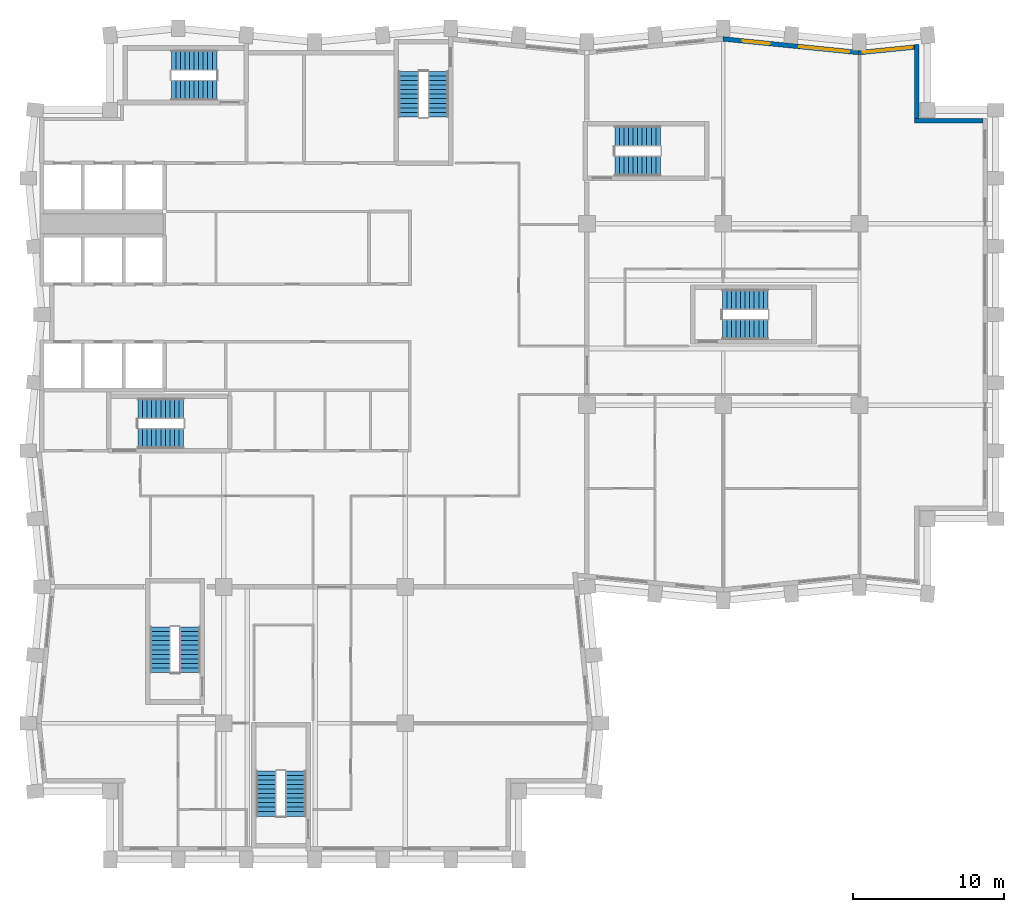
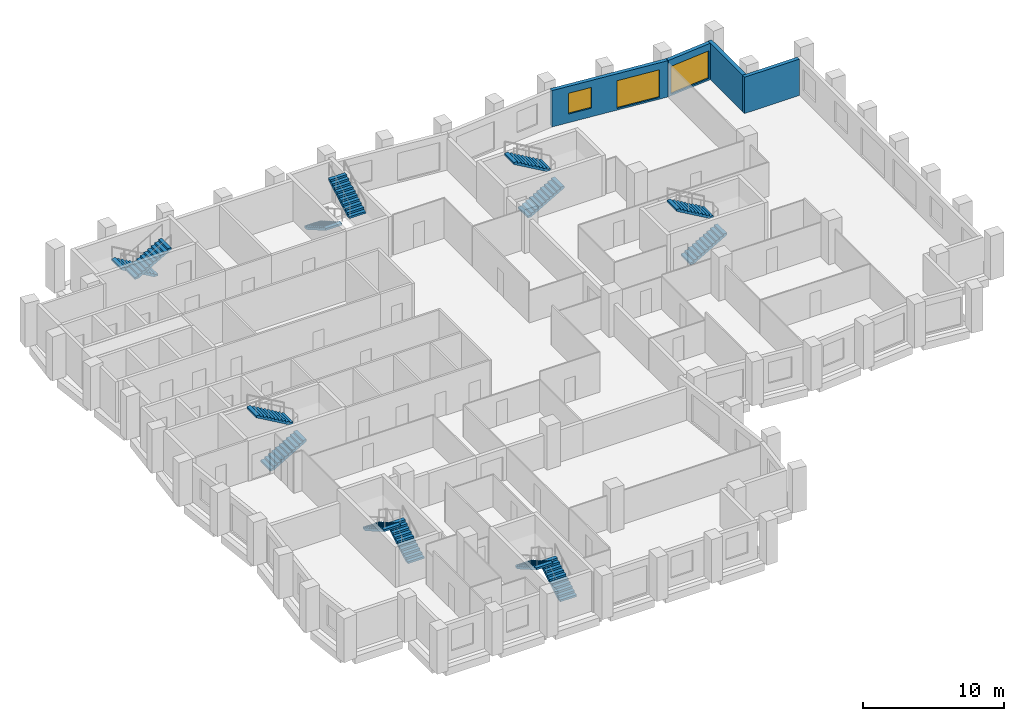
# One storey, part 8 of 10: 14 stair flights, 4 walls, 3 windows, 3 openings, 7 elements without a shape of their own.
"""IFC4 building model written with IfcOpenShell, lengths in metres."""

import ifcopenshell
import ifcopenshell.guid

model = None  # the IFC model being written
_history = None  # IfcOwnerHistory: only IFC2X3 demands one
_inside = {}  # id of a spatial element -> (the spatial element, [elements in it])
_under = {}  # id of a project, library or spatial element -> (it, [spatial elements below it])
_declared = {}  # id of a project -> (the project, [libraries it declares])
_typed = {}  # id of a type object -> (the type object, [elements of that type])
_made_of = {}  # id of a material, layer set ... -> (it, [elements and type objects made of it])


def new_model(schema):
    """Start an empty IFC model of exactly this schema.

    Asked for "IFC4X3", IfcOpenShell would pick the latest addendum, in which some entities
    have other attributes; the version numbers below select the first issue.
    IFC2X3 requires an IfcOwnerHistory on every rooted entity: one is made here for all.
    """
    global model, _history
    if schema == "IFC4X3":
        model = ifcopenshell.file(schema_version=(4, 3, 0, 0))
    else:
        model = ifcopenshell.file(schema=schema)
    _inside.clear()
    _under.clear()
    _declared.clear()
    _typed.clear()
    _made_of.clear()
    _history = None
    if model.schema == "IFC2X3":
        org = make("IfcOrganization", Name="unknown")
        user = make(
            "IfcPersonAndOrganization",
            ThePerson=make("IfcPerson", FamilyName="unknown"),
            TheOrganization=org,
        )
        app = make(
            "IfcApplication",
            ApplicationDeveloper=org,
            Version="unknown",
            ApplicationFullName="unknown",
            ApplicationIdentifier="unknown",
        )
        _history = make(
            "IfcOwnerHistory",
            OwningUser=user,
            OwningApplication=app,
            ChangeAction="ADDED",
            CreationDate=0,
        )
    return model


def make(cls, **values):
    """One entity of the class cls with the attributes given. An attribute that is None is left unset."""
    return model.create_entity(
        cls, **{name: value for name, value in values.items() if value is not None}
    )


def rooted(cls, **values):
    """An entity with a GlobalId (a new one), such as an element, a storey or a relation."""
    return make(cls, GlobalId=ifcopenshell.guid.new(), OwnerHistory=_history, **values)


def si_unit(unit_type, name, prefix=None):
    """IfcSIUnit, for example si_unit("LENGTHUNIT", "METRE", prefix="MILLI")."""
    return make("IfcSIUnit", UnitType=unit_type, Prefix=prefix, Name=name)


def assignment(units):
    """IfcUnitAssignment: the units of a project."""
    return None if units is None else make("IfcUnitAssignment", Units=units)


def point(xyz):
    """IfcCartesianPoint."""
    return None if xyz is None else make("IfcCartesianPoint", Coordinates=xyz)


def direction(xyz):
    """IfcDirection."""
    return None if xyz is None else make("IfcDirection", DirectionRatios=xyz)


def frame(location, z_axis=None, x_axis=None):
    """IfcAxis2Placement3D, a coordinate frame: its origin and axes. An axis left out is left unset."""
    return make(
        "IfcAxis2Placement3D",
        Location=point(location),
        Axis=direction(z_axis),
        RefDirection=direction(x_axis),
    )


def frame_2d(location, x_axis=None):
    """IfcAxis2Placement2D, a coordinate frame in the plane: its origin and x axis."""
    return make(
        "IfcAxis2Placement2D", Location=point(location), RefDirection=direction(x_axis)
    )


def origin():
    """The frame at (0, 0, 0) with its axes left unset."""
    return frame((0.0, 0.0, 0.0))


def place(relative_to, where):
    """IfcLocalPlacement: puts the frame where relative to a parent placement (None: the world)."""
    return make(
        "IfcLocalPlacement", PlacementRelTo=relative_to, RelativePlacement=where
    )


def context(
    kind, dimensions, precision=None, world=None, true_north=None, identifier=None
):
    """IfcGeometricRepresentationContext, for example the 3D "Model" context."""
    return make(
        "IfcGeometricRepresentationContext",
        ContextIdentifier=identifier,
        ContextType=kind,
        CoordinateSpaceDimension=dimensions,
        Precision=precision,
        WorldCoordinateSystem=world,
        TrueNorth=true_north,
    )


def subcontext(parent, identifier, kind, view, scale=None):
    """IfcGeometricRepresentationSubContext, for example "Body" below "Model"."""
    return make(
        "IfcGeometricRepresentationSubContext",
        ContextIdentifier=identifier,
        ContextType=kind,
        ParentContext=parent,
        TargetScale=scale,
        TargetView=view,
    )


def project(units=None, contexts=None):
    """IfcProject with its units and contexts."""
    return rooted(
        "IfcProject",
        Name="project",
        RepresentationContexts=contexts,
        UnitsInContext=assignment(units),
    )


def spatial(cls, under=None, at=None, **own):
    """A site, building, storey or space (cls), placed at a placement, below another one or the project."""
    s = rooted(cls, ObjectPlacement=at, **own)
    if under is not None:
        _under.setdefault(under.id(), (under, []))[1].append(s)
    return s


def polyline(points):
    """IfcPolyline through the points."""
    return make("IfcPolyline", Points=[point(p) for p in points])


def profile(cls, at=None, kind="AREA", **sizes):
    """A parametric profile (cls). Its sizes go by their IFC names, for example OverallWidth=200.0."""
    return make(cls, ProfileType=kind, Position=at, **sizes)


def rectangle(**sizes):
    """IfcRectangleProfileDef."""
    return profile("IfcRectangleProfileDef", **sizes)


def outline(outer, holes=None, kind="AREA"):
    """IfcArbitraryClosedProfileDef: a profile drawn as a closed curve; with holes, ...WithVoids."""
    if holes is None:
        return make("IfcArbitraryClosedProfileDef", ProfileType=kind, OuterCurve=outer)
    return make(
        "IfcArbitraryProfileDefWithVoids",
        ProfileType=kind,
        OuterCurve=outer,
        InnerCurves=holes,
    )


def extrude(swept, where, along, depth):
    """IfcExtrudedAreaSolid: the profile swept, set in the frame where, extruded along a direction by depth."""
    return make(
        "IfcExtrudedAreaSolid",
        SweptArea=swept,
        Position=where,
        ExtrudedDirection=direction(along),
        Depth=depth,
    )


def shape(context_of_items, identifier, shape_type, items):
    """IfcShapeRepresentation: the items that make up one representation, for example the "Body"."""
    return make(
        "IfcShapeRepresentation",
        ContextOfItems=context_of_items,
        RepresentationIdentifier=identifier,
        RepresentationType=shape_type,
        Items=items,
    )


def material(Name=None, Category=None):
    """IfcMaterial."""
    return make("IfcMaterial", Name=Name, Category=Category)


def layer(
    of_material, thickness, ventilated=None, Name=None, Category=None, Priority=None
):
    """IfcMaterialLayer: one layer of a wall or slab, of a material (None: an air gap)."""
    return make(
        "IfcMaterialLayer",
        Material=of_material,
        LayerThickness=thickness,
        IsVentilated=ventilated,
        Name=Name,
        Category=Category,
        Priority=Priority,
    )


def layer_set(layers, Name=None):
    """IfcMaterialLayerSet."""
    return make("IfcMaterialLayerSet", MaterialLayers=layers, LayerSetName=Name)


def made_of(thing, what):
    """Note that an element or type object is made of a material, layer set ...; save() writes the relation."""
    if what is not None:
        _made_of.setdefault(what.id(), (what, []))[1].append(thing)
    return thing


def type_object(cls, material=None, **own):
    """A type object (cls), such as IfcWallType, which elements share."""
    return made_of(rooted(cls, **own), material)


def element(
    cls,
    number,
    at=None,
    inside=None,
    cuts=None,
    type_object=None,
    material=None,
    context=None,
    identifier="Body",
    shape_type=None,
    held_by="IfcProductDefinitionShape",
    body=None,
    shapes=None,
    **own,
):
    """One element of the class cls, such as IfcWall. Its Tag is "e" and its number.

    at: its placement. inside: the storey or other place that contains it. cuts: it is an
    opening in that element (IfcRelVoidsElement). A single representation is given by context,
    identifier, shape_type and body (its items); several are given by shapes. held_by: the class
    of the entity that holds the representations. save() writes the other relations.
    """
    e = rooted(cls, Tag="e%d" % number, ObjectPlacement=at, **own)
    if body is not None:
        shapes = [shape(context, identifier, shape_type, body)]
    if shapes is not None:
        e.Representation = make(held_by, Representations=shapes)
    if inside is not None:
        _inside.setdefault(inside.id(), (inside, []))[1].append(e)
    if cuts is not None:
        rooted(
            "IfcRelVoidsElement", RelatingBuildingElement=cuts, RelatedOpeningElement=e
        )
    if type_object is not None:
        _typed.setdefault(type_object.id(), (type_object, []))[1].append(e)
    return made_of(e, material)


def fill(opening, filler):
    """IfcRelFillsElement: the door or window that sits in an opening."""
    return rooted(
        "IfcRelFillsElement",
        RelatingOpeningElement=opening,
        RelatedBuildingElement=filler,
    )


def aggregate(whole, parts):
    """IfcRelAggregates: a whole, such as a stair, and the parts it consists of."""
    return rooted("IfcRelAggregates", RelatingObject=whole, RelatedObjects=parts)


def save(model, path):
    """Write the relations noted so far, then the file.

    IfcRelAggregates (storeys below a building ...), IfcRelContainedInSpatialStructure (elements
    in a storey), IfcRelDefinesByType, IfcRelAssociatesMaterial and IfcRelDeclares: one each for
    every whole, place, type object, material and project.
    """
    for whole, parts in _under.values():
        aggregate(whole, parts)
    for where, things in _inside.values():
        rooted(
            "IfcRelContainedInSpatialStructure",
            RelatedElements=things,
            RelatingStructure=where,
        )
    for kind, things in _typed.values():
        rooted("IfcRelDefinesByType", RelatedObjects=things, RelatingType=kind)
    for what, things in _made_of.values():
        rooted("IfcRelAssociatesMaterial", RelatedObjects=things, RelatingMaterial=what)
    for by, libraries in _declared.values():
        rooted("IfcRelDeclares", RelatingContext=by, RelatedDefinitions=libraries)
    model.write(path)


model = new_model("IFC4")

# Units and contexts
model_context = context("Model", 3, precision=1e-05, world=origin(), true_north=direction((0.0, 1.0)))
body_context = subcontext(model_context, "Body", "Model", "MODEL_VIEW")
ifc_project = project(units=[si_unit("LENGTHUNIT", "METRE"), si_unit("AREAUNIT", "SQUARE_METRE"), si_unit("VOLUMEUNIT", "CUBIC_METRE"), si_unit("PLANEANGLEUNIT", "RADIAN"), si_unit("MASSUNIT", "GRAM", prefix="KILO")], contexts=[model_context])

# Site, building, storey
site_placement = place(None, origin())
site = spatial("IfcSite", under=ifc_project, at=site_placement, CompositionType="ELEMENT")
building_placement = place(site_placement, origin())
building = spatial("IfcBuilding", under=site, at=building_placement, Name="Brondeck Convention Tower", CompositionType="ELEMENT")
storey_placement = place(building_placement, frame((0.0, 0.0, 170.0)))
storey = spatial("IfcBuildingStorey", under=building, at=storey_placement, Name="L41", CompositionType="ELEMENT", Elevation=170.0)

# Walls
ifc_material_1 = material(Name="Precast concrete C50/60 bronze finish", Category="concrete")
ifc_layer_1 = layer(ifc_material_1, 0.070068359375, Name="Bronze precast facing")
ifc_material_2 = material(Name="Mineral wool")
ifc_layer_2 = layer(ifc_material_2, 0.159912109375, Name="Insulation")
ifc_material_3 = material(Name="Concrete C35/45", Category="concrete")
ifc_layer_3 = layer(ifc_material_3, 0.070068359375, Name="Backing")
ifc_layer_set = layer_set([ifc_layer_1, ifc_layer_2, ifc_layer_3], Name="External infill wall, precast concrete C50/60 bronze facing")
wall_type = type_object("IfcWallType", Name="External infill wall, precast concrete C50/60 bronze facing", PredefinedType="SOLIDWALL", material=ifc_layer_set)
wall_1_placement = place(storey_placement, frame((57.64990234375, 57.800048828125, 0.0), z_axis=(0.0, 0.0, 1.0), x_axis=(1.0, 0.0, 0.0)))
element("IfcWall", 1, at=wall_1_placement, inside=storey, type_object=wall_type, Name="ENV-EW-L41-P1-NC-NEA63-01", PredefinedType="SOLIDWALL", context=body_context, shape_type="SweptSolid", body=[
    extrude(rectangle(XDim=4.502197265625, YDim=0.300048828125, at=frame_2d((2.2509765625, 0.0))), origin(), (0.0, 0.0, 1.0), 3.14990234375),
])
wall_2_placement = place(storey_placement, frame((57.800048828125, 62.84228515625, 0.0), z_axis=(0.0, 0.0, 1.0), x_axis=(0.0, -1.0, 0.0)))
element("IfcWall", 2, at=wall_2_placement, inside=storey, type_object=wall_type, Name="ENV-EW-L41-P1-NC-NEA63-02", PredefinedType="SOLIDWALL", context=body_context, shape_type="SweptSolid", body=[
    extrude(rectangle(XDim=4.894287109375, YDim=0.300048828125, at=frame_2d((2.447265625, 0.0))), origin(), (0.0, 0.0, 1.0), 3.14990234375),
])

# Wall, opening, window
wall_3_placement = place(storey_placement, frame((53.985107421875, 62.294921875, 0.0), z_axis=(0.0, 0.0, 1.0), x_axis=(0.99503719021, 0.099503719021, 0.0)))
wall_3 = element("IfcWall", 3, at=wall_3_placement, inside=storey, type_object=wall_type, Name="ENV-EW-L41-P1-A-N-12", PredefinedType="SOLIDWALL", context=body_context, shape_type="SweptSolid", body=[
    extrude(rectangle(XDim=3.677978515625, YDim=0.300048828125, at=frame_2d((1.8388671875, 0.0))), origin(), (0.0, 0.0, 1.0), 3.14990234375),
])
opening_1_placement = place(wall_3_placement, frame((0.22802734375, 0.0, 0.14990234375)))
opening_1 = element("IfcOpeningElement", 4, at=opening_1_placement, cuts=wall_3, Name="Opening W9", PredefinedType="OPENING", context=body_context, shape_type="SweptSolid", body=[
    extrude(rectangle(XDim=3.300048828125, YDim=2.39990234375, at=frame_2d((1.64990234375, 1.199951171875))), frame((0.0, 0.159912109375, 0.0), z_axis=(0.0, -1.0, 0.0), x_axis=(1.0, 0.0, 0.0)), (0.0, 0.0, 1.0), 0.320068359375),
])
ifc_material_4 = material(Name="Bronze tinted double glazing", Category="glass")
window_type_1 = type_object("IfcWindowType", Name="Glazed flute window, bronze tinted", PartitioningType="SINGLE_PANEL", PredefinedType="WINDOW", material=ifc_material_4)
window_1_placement = place(opening_1_placement, origin())
window_1 = element("IfcWindow", 5, at=window_1_placement, inside=storey, type_object=window_type_1, Name="ENV-WN-L41-P1-A-N-12", OverallHeight=2.39990234375, OverallWidth=3.300048828125, PartitioningType="SINGLE_PANEL", PredefinedType="WINDOW", context=body_context, shape_type="SweptSolid", body=[
    extrude(rectangle(XDim=3.300048828125, YDim=2.39990234375, at=frame_2d((1.64990234375, 1.199951171875))), frame((0.0, 0.030029296875, 0.0), z_axis=(0.0, -1.0, 0.0), x_axis=(1.0, 0.0, 0.0)), (0.0, 0.0, 1.0), 0.06005859375),
])
fill(opening_1, window_1)

# Wall, openings, windows
wall_4_placement = place(storey_placement, frame((44.985107421875, 63.197998046875, 0.0), z_axis=(0.0, 0.0, 1.0), x_axis=(0.995037993253, -0.099495688264, 0.0)))
wall_4 = element("IfcWall", 6, at=wall_4_placement, inside=storey, type_object=wall_type, Name="ENV-EW-L41-P1-A-N-11", PredefinedType="SOLIDWALL", context=body_context, shape_type="SweptSolid", body=[
    extrude(rectangle(XDim=9.030029296875, YDim=0.300048828125, at=frame_2d((4.51513671875, 0.0))), origin(), (0.0, 0.0, 1.0), 3.14990234375),
])
opening_2_placement = place(wall_4_placement, frame((1.30615234375, 0.0, 0.75)))
opening_2 = element("IfcOpeningElement", 7, at=opening_2_placement, cuts=wall_4, Name="Opening W10", PredefinedType="OPENING", context=body_context, shape_type="SweptSolid", body=[
    extrude(rectangle(XDim=1.800048828125, YDim=1.800048828125, at=frame_2d((0.89990234375, 0.89990234375))), frame((0.0, 0.159912109375, 0.0), z_axis=(0.0, -1.0, 0.0), x_axis=(1.0, 0.0, 0.0)), (0.0, 0.0, 1.0), 0.320068359375),
])
opening_3_placement = place(wall_4_placement, frame((5.07861328125, 0.0, 0.14990234375)))
opening_3 = element("IfcOpeningElement", 8, at=opening_3_placement, cuts=wall_4, Name="Opening W9", PredefinedType="OPENING", context=body_context, shape_type="SweptSolid", body=[
    extrude(rectangle(XDim=3.300048828125, YDim=2.39990234375, at=frame_2d((1.64990234375, 1.199951171875))), frame((0.0, 0.159912109375, 0.0), z_axis=(0.0, -1.0, 0.0), x_axis=(1.0, 0.0, 0.0)), (0.0, 0.0, 1.0), 0.320068359375),
])
window_2_placement = place(opening_3_placement, origin())
window_2 = element("IfcWindow", 9, at=window_2_placement, inside=storey, type_object=window_type_1, Name="ENV-WN-L41-P1-A-N-11", OverallHeight=2.39990234375, OverallWidth=3.300048828125, PartitioningType="SINGLE_PANEL", PredefinedType="WINDOW", context=body_context, shape_type="SweptSolid", body=[
    extrude(rectangle(XDim=3.300048828125, YDim=2.39990234375, at=frame_2d((1.64990234375, 1.199951171875))), frame((0.0, 0.030029296875, 0.0), z_axis=(0.0, -1.0, 0.0), x_axis=(1.0, 0.0, 0.0)), (0.0, 0.0, 1.0), 0.06005859375),
])
fill(opening_3, window_2)
window_type_2 = type_object("IfcWindowType", Name="Punched window, bronze tinted", PartitioningType="SINGLE_PANEL", PredefinedType="WINDOW", material=ifc_material_4)
window_3_placement = place(opening_2_placement, origin())
window_3 = element("IfcWindow", 10, at=window_3_placement, inside=storey, type_object=window_type_2, Name="ENV-WN-L41-P1-A-N-10", OverallHeight=1.800048828125, OverallWidth=1.800048828125, PartitioningType="SINGLE_PANEL", PredefinedType="WINDOW", context=body_context, shape_type="SweptSolid", body=[
    extrude(rectangle(XDim=1.800048828125, YDim=1.800048828125, at=frame_2d((0.89990234375, 0.89990234375))), frame((0.0, 0.030029296875, 0.0), z_axis=(0.0, -1.0, 0.0), x_axis=(1.0, 0.0, 0.0)), (0.0, 0.0, 1.0), 0.06005859375),
])
fill(opening_2, window_3)

# Stair, stair flights
ifc_material_5 = material(Name="Precast concrete C50/60", Category="concrete")
stair_type = type_object("IfcStairType", Name="Core stair 22 risers 172.73 mm riser 300 mm going 1350 wide", PredefinedType="HALF_TURN_STAIR", material=ifc_material_5)
stair_1_placement = place(storey_placement, origin())
stair_1 = element("IfcStair", 11, at=stair_1_placement, inside=storey, type_object=stair_type, Name="ST-1 L41 stair", PredefinedType="HALF_TURN_STAIR")
stair_flight_type = type_object("IfcStairFlightType", Name="Core stair flight 22 risers 172.73 mm riser 300 mm going 1350 wide", PredefinedType="STRAIGHT", material=ifc_material_5)
stair_flight_1_placement = place(storey_placement, frame((6.35009765625, 36.824951171875, 0.0), z_axis=(0.0, 0.0, 1.0), x_axis=(1.0, 0.0, 0.0)))
stair_flight_1 = element("IfcStairFlight", 12, at=stair_flight_1_placement, type_object=stair_flight_type, Name="ST-1 flight 1", NumberOfRisers=11, NumberOfTreads=10, PredefinedType="STRAIGHT", RiserHeight=0.172727273, TreadLength=0.3, context=body_context, shape_type="SweptSolid", body=[
    extrude(outline(polyline([(0.0, 0.0), (0.0, 0.172607421875), (0.300048828125, 0.172607421875), (0.300048828125, 0.345458984375), (0.60009765625, 0.345458984375), (0.60009765625, 0.51806640625), (0.89990234375, 0.51806640625), (0.89990234375, 0.69091796875), (1.199951171875, 0.69091796875), (1.199951171875, 0.863525390625), (1.5, 0.863525390625), (1.5, 1.036376953125), (1.800048828125, 1.036376953125), (1.800048828125, 1.208984375), (2.10009765625, 1.208984375), (2.10009765625, 1.3818359375), (2.39990234375, 1.3818359375), (2.39990234375, 1.554443359375), (2.699951171875, 1.554443359375), (2.699951171875, 1.727294921875), (3.0, 1.727294921875), (3.0, 1.89990234375), (3.0, 1.55419921875), (0.300537109375, 0.0), (0.0, 0.0)])), frame((0.0, 0.675048828125, 0.0), z_axis=(0.0, -1.0, 0.0), x_axis=(1.0, 0.0, 0.0)), (0.0, 0.0, 1.0), 1.35009765625),
])
stair_flight_2_placement = place(storey_placement, frame((9.35009765625, 38.77490234375, 1.89990234375), z_axis=(0.0, 0.0, 1.0), x_axis=(-1.0, 0.0, 0.0)))
stair_flight_2 = element("IfcStairFlight", 13, at=stair_flight_2_placement, type_object=stair_flight_type, Name="ST-1 flight 2", NumberOfRisers=11, NumberOfTreads=10, PredefinedType="STRAIGHT", RiserHeight=0.172727273, TreadLength=0.3, context=body_context, shape_type="SweptSolid", body=[
    extrude(outline(polyline([(0.0, 0.0), (0.0, 0.172607421875), (0.300048828125, 0.172607421875), (0.300048828125, 0.345458984375), (0.60009765625, 0.345458984375), (0.60009765625, 0.51806640625), (0.89990234375, 0.51806640625), (0.89990234375, 0.69091796875), (1.199951171875, 0.69091796875), (1.199951171875, 0.863525390625), (1.5, 0.863525390625), (1.5, 1.036376953125), (1.800048828125, 1.036376953125), (1.800048828125, 1.208984375), (2.10009765625, 1.208984375), (2.10009765625, 1.3818359375), (2.39990234375, 1.3818359375), (2.39990234375, 1.554443359375), (2.699951171875, 1.554443359375), (2.699951171875, 1.727294921875), (3.0, 1.727294921875), (3.0, 1.89990234375), (3.0, 1.55419921875), (0.300537109375, 0.0), (0.0, 0.0)])), frame((0.0, 0.675048828125, 0.0), z_axis=(0.0, -1.0, 0.0), x_axis=(1.0, 0.0, 0.0)), (0.0, 0.0, 1.0), 1.35009765625),
])
aggregate(stair_1, [stair_flight_1, stair_flight_2])

stair_2_placement = place(storey_placement, origin())
stair_2 = element("IfcStair", 14, at=stair_2_placement, inside=storey, type_object=stair_type, Name="ST-2 L41 stair", PredefinedType="HALF_TURN_STAIR")
stair_flight_3_placement = place(storey_placement, frame((24.22509765625, 61.050048828125, 0.0), z_axis=(0.0, 0.0, 1.0), x_axis=(0.0, -1.0, 0.0)))
stair_flight_3 = element("IfcStairFlight", 15, at=stair_flight_3_placement, type_object=stair_flight_type, Name="ST-2 flight 1", NumberOfRisers=11, NumberOfTreads=10, PredefinedType="STRAIGHT", RiserHeight=0.172727273, TreadLength=0.3, context=body_context, shape_type="SweptSolid", body=[
    extrude(outline(polyline([(0.0, 0.0), (0.0, 0.172607421875), (0.300048828125, 0.172607421875), (0.300048828125, 0.345458984375), (0.60009765625, 0.345458984375), (0.60009765625, 0.51806640625), (0.89990234375, 0.51806640625), (0.89990234375, 0.69091796875), (1.199951171875, 0.69091796875), (1.199951171875, 0.863525390625), (1.5, 0.863525390625), (1.5, 1.036376953125), (1.800048828125, 1.036376953125), (1.800048828125, 1.208984375), (2.10009765625, 1.208984375), (2.10009765625, 1.3818359375), (2.39990234375, 1.3818359375), (2.39990234375, 1.554443359375), (2.699951171875, 1.554443359375), (2.699951171875, 1.727294921875), (3.0, 1.727294921875), (3.0, 1.89990234375), (3.0, 1.55419921875), (0.300537109375, 0.0), (0.0, 0.0)])), frame((0.0, 0.675048828125, 0.0), z_axis=(0.0, -1.0, 0.0), x_axis=(1.0, 0.0, 0.0)), (0.0, 0.0, 1.0), 1.35009765625),
])
stair_flight_4_placement = place(storey_placement, frame((26.175048828125, 58.050048828125, 1.89990234375), z_axis=(0.0, 0.0, 1.0), x_axis=(0.0, 1.0, 0.0)))
stair_flight_4 = element("IfcStairFlight", 16, at=stair_flight_4_placement, type_object=stair_flight_type, Name="ST-2 flight 2", NumberOfRisers=11, NumberOfTreads=10, PredefinedType="STRAIGHT", RiserHeight=0.172727273, TreadLength=0.3, context=body_context, shape_type="SweptSolid", body=[
    extrude(outline(polyline([(0.0, 0.0), (0.0, 0.172607421875), (0.300048828125, 0.172607421875), (0.300048828125, 0.345458984375), (0.60009765625, 0.345458984375), (0.60009765625, 0.51806640625), (0.89990234375, 0.51806640625), (0.89990234375, 0.69091796875), (1.199951171875, 0.69091796875), (1.199951171875, 0.863525390625), (1.5, 0.863525390625), (1.5, 1.036376953125), (1.800048828125, 1.036376953125), (1.800048828125, 1.208984375), (2.10009765625, 1.208984375), (2.10009765625, 1.3818359375), (2.39990234375, 1.3818359375), (2.39990234375, 1.554443359375), (2.699951171875, 1.554443359375), (2.699951171875, 1.727294921875), (3.0, 1.727294921875), (3.0, 1.89990234375), (3.0, 1.55419921875), (0.300537109375, 0.0), (0.0, 0.0)])), frame((0.0, 0.675048828125, 0.0), z_axis=(0.0, -1.0, 0.0), x_axis=(1.0, 0.0, 0.0)), (0.0, 0.0, 1.0), 1.35009765625),
])
aggregate(stair_2, [stair_flight_3, stair_flight_4])

stair_3_placement = place(storey_placement, origin())
stair_3 = element("IfcStair", 17, at=stair_3_placement, inside=storey, type_object=stair_type, Name="ST-3 L41 stair", PredefinedType="HALF_TURN_STAIR")
stair_flight_5_placement = place(storey_placement, frame((11.550048828125, 61.77490234375, 0.0), z_axis=(0.0, 0.0, 1.0), x_axis=(-1.0, 0.0, 0.0)))
stair_flight_5 = element("IfcStairFlight", 18, at=stair_flight_5_placement, type_object=stair_flight_type, Name="ST-3 flight 1", NumberOfRisers=11, NumberOfTreads=10, PredefinedType="STRAIGHT", RiserHeight=0.172727273, TreadLength=0.3, context=body_context, shape_type="SweptSolid", body=[
    extrude(outline(polyline([(0.0, 0.0), (0.0, 0.172607421875), (0.300048828125, 0.172607421875), (0.300048828125, 0.345458984375), (0.60009765625, 0.345458984375), (0.60009765625, 0.51806640625), (0.89990234375, 0.51806640625), (0.89990234375, 0.69091796875), (1.199951171875, 0.69091796875), (1.199951171875, 0.863525390625), (1.5, 0.863525390625), (1.5, 1.036376953125), (1.800048828125, 1.036376953125), (1.800048828125, 1.208984375), (2.10009765625, 1.208984375), (2.10009765625, 1.3818359375), (2.39990234375, 1.3818359375), (2.39990234375, 1.554443359375), (2.699951171875, 1.554443359375), (2.699951171875, 1.727294921875), (3.0, 1.727294921875), (3.0, 1.89990234375), (3.0, 1.55419921875), (0.300537109375, 0.0), (0.0, 0.0)])), frame((0.0, 0.675048828125, 0.0), z_axis=(0.0, -1.0, 0.0), x_axis=(1.0, 0.0, 0.0)), (0.0, 0.0, 1.0), 1.35009765625),
])
stair_flight_6_placement = place(storey_placement, frame((8.550048828125, 59.824951171875, 1.89990234375), z_axis=(0.0, 0.0, 1.0), x_axis=(1.0, 0.0, 0.0)))
stair_flight_6 = element("IfcStairFlight", 19, at=stair_flight_6_placement, type_object=stair_flight_type, Name="ST-3 flight 2", NumberOfRisers=11, NumberOfTreads=10, PredefinedType="STRAIGHT", RiserHeight=0.172727273, TreadLength=0.3, context=body_context, shape_type="SweptSolid", body=[
    extrude(outline(polyline([(0.0, 0.0), (0.0, 0.172607421875), (0.300048828125, 0.172607421875), (0.300048828125, 0.345458984375), (0.60009765625, 0.345458984375), (0.60009765625, 0.51806640625), (0.89990234375, 0.51806640625), (0.89990234375, 0.69091796875), (1.199951171875, 0.69091796875), (1.199951171875, 0.863525390625), (1.5, 0.863525390625), (1.5, 1.036376953125), (1.800048828125, 1.036376953125), (1.800048828125, 1.208984375), (2.10009765625, 1.208984375), (2.10009765625, 1.3818359375), (2.39990234375, 1.3818359375), (2.39990234375, 1.554443359375), (2.699951171875, 1.554443359375), (2.699951171875, 1.727294921875), (3.0, 1.727294921875), (3.0, 1.89990234375), (3.0, 1.55419921875), (0.300537109375, 0.0), (0.0, 0.0)])), frame((0.0, 0.675048828125, 0.0), z_axis=(0.0, -1.0, 0.0), x_axis=(1.0, 0.0, 0.0)), (0.0, 0.0, 1.0), 1.35009765625),
])
aggregate(stair_3, [stair_flight_5, stair_flight_6])

stair_4_placement = place(storey_placement, origin())
stair_4 = element("IfcStair", 20, at=stair_4_placement, inside=storey, type_object=stair_type, Name="ST-AE L41 stair", PredefinedType="HALF_TURN_STAIR")
stair_flight_7_placement = place(storey_placement, frame((37.85009765625, 54.824951171875, 0.0), z_axis=(0.0, 0.0, 1.0), x_axis=(1.0, 0.0, 0.0)))
stair_flight_7 = element("IfcStairFlight", 21, at=stair_flight_7_placement, type_object=stair_flight_type, Name="ST-AE flight 1", NumberOfRisers=11, NumberOfTreads=10, PredefinedType="STRAIGHT", RiserHeight=0.172727273, TreadLength=0.3, context=body_context, shape_type="SweptSolid", body=[
    extrude(outline(polyline([(0.0, 0.0), (0.0, 0.172607421875), (0.300048828125, 0.172607421875), (0.300048828125, 0.345458984375), (0.60009765625, 0.345458984375), (0.60009765625, 0.51806640625), (0.89990234375, 0.51806640625), (0.89990234375, 0.69091796875), (1.199951171875, 0.69091796875), (1.199951171875, 0.863525390625), (1.5, 0.863525390625), (1.5, 1.036376953125), (1.800048828125, 1.036376953125), (1.800048828125, 1.208984375), (2.10009765625, 1.208984375), (2.10009765625, 1.3818359375), (2.39990234375, 1.3818359375), (2.39990234375, 1.554443359375), (2.699951171875, 1.554443359375), (2.699951171875, 1.727294921875), (3.0, 1.727294921875), (3.0, 1.89990234375), (3.0, 1.55419921875), (0.300537109375, 0.0), (0.0, 0.0)])), frame((0.0, 0.675048828125, 0.0), z_axis=(0.0, -1.0, 0.0), x_axis=(1.0, 0.0, 0.0)), (0.0, 0.0, 1.0), 1.35009765625),
])
stair_flight_8_placement = place(storey_placement, frame((40.85009765625, 56.77490234375, 1.89990234375), z_axis=(0.0, 0.0, 1.0), x_axis=(-1.0, 0.0, 0.0)))
stair_flight_8 = element("IfcStairFlight", 22, at=stair_flight_8_placement, type_object=stair_flight_type, Name="ST-AE flight 2", NumberOfRisers=11, NumberOfTreads=10, PredefinedType="STRAIGHT", RiserHeight=0.172727273, TreadLength=0.3, context=body_context, shape_type="SweptSolid", body=[
    extrude(outline(polyline([(0.0, 0.0), (0.0, 0.172607421875), (0.300048828125, 0.172607421875), (0.300048828125, 0.345458984375), (0.60009765625, 0.345458984375), (0.60009765625, 0.51806640625), (0.89990234375, 0.51806640625), (0.89990234375, 0.69091796875), (1.199951171875, 0.69091796875), (1.199951171875, 0.863525390625), (1.5, 0.863525390625), (1.5, 1.036376953125), (1.800048828125, 1.036376953125), (1.800048828125, 1.208984375), (2.10009765625, 1.208984375), (2.10009765625, 1.3818359375), (2.39990234375, 1.3818359375), (2.39990234375, 1.554443359375), (2.699951171875, 1.554443359375), (2.699951171875, 1.727294921875), (3.0, 1.727294921875), (3.0, 1.89990234375), (3.0, 1.55419921875), (0.300537109375, 0.0), (0.0, 0.0)])), frame((0.0, 0.675048828125, 0.0), z_axis=(0.0, -1.0, 0.0), x_axis=(1.0, 0.0, 0.0)), (0.0, 0.0, 1.0), 1.35009765625),
])
aggregate(stair_4, [stair_flight_7, stair_flight_8])

stair_5_placement = place(storey_placement, origin())
stair_5 = element("IfcStair", 23, at=stair_5_placement, inside=storey, type_object=stair_type, Name="ST-BE L41 stair", PredefinedType="HALF_TURN_STAIR")
stair_flight_9_placement = place(storey_placement, frame((9.77490234375, 21.35009765625, 0.0), z_axis=(0.0, 0.0, 1.0), x_axis=(0.0, 1.0, 0.0)))
stair_flight_9 = element("IfcStairFlight", 24, at=stair_flight_9_placement, type_object=stair_flight_type, Name="ST-BE flight 1", NumberOfRisers=11, NumberOfTreads=10, PredefinedType="STRAIGHT", RiserHeight=0.172727273, TreadLength=0.3, context=body_context, shape_type="SweptSolid", body=[
    extrude(outline(polyline([(0.0, 0.0), (0.0, 0.172607421875), (0.300048828125, 0.172607421875), (0.300048828125, 0.345458984375), (0.60009765625, 0.345458984375), (0.60009765625, 0.51806640625), (0.89990234375, 0.51806640625), (0.89990234375, 0.69091796875), (1.199951171875, 0.69091796875), (1.199951171875, 0.863525390625), (1.5, 0.863525390625), (1.5, 1.036376953125), (1.800048828125, 1.036376953125), (1.800048828125, 1.208984375), (2.10009765625, 1.208984375), (2.10009765625, 1.3818359375), (2.39990234375, 1.3818359375), (2.39990234375, 1.554443359375), (2.699951171875, 1.554443359375), (2.699951171875, 1.727294921875), (3.0, 1.727294921875), (3.0, 1.89990234375), (3.0, 1.55419921875), (0.300537109375, 0.0), (0.0, 0.0)])), frame((0.0, 0.675048828125, 0.0), z_axis=(0.0, -1.0, 0.0), x_axis=(1.0, 0.0, 0.0)), (0.0, 0.0, 1.0), 1.35009765625),
])
stair_flight_10_placement = place(storey_placement, frame((7.824951171875, 24.35009765625, 1.89990234375), z_axis=(0.0, 0.0, 1.0), x_axis=(0.0, -1.0, 0.0)))
stair_flight_10 = element("IfcStairFlight", 25, at=stair_flight_10_placement, type_object=stair_flight_type, Name="ST-BE flight 2", NumberOfRisers=11, NumberOfTreads=10, PredefinedType="STRAIGHT", RiserHeight=0.172727273, TreadLength=0.3, context=body_context, shape_type="SweptSolid", body=[
    extrude(outline(polyline([(0.0, 0.0), (0.0, 0.172607421875), (0.300048828125, 0.172607421875), (0.300048828125, 0.345458984375), (0.60009765625, 0.345458984375), (0.60009765625, 0.51806640625), (0.89990234375, 0.51806640625), (0.89990234375, 0.69091796875), (1.199951171875, 0.69091796875), (1.199951171875, 0.863525390625), (1.5, 0.863525390625), (1.5, 1.036376953125), (1.800048828125, 1.036376953125), (1.800048828125, 1.208984375), (2.10009765625, 1.208984375), (2.10009765625, 1.3818359375), (2.39990234375, 1.3818359375), (2.39990234375, 1.554443359375), (2.699951171875, 1.554443359375), (2.699951171875, 1.727294921875), (3.0, 1.727294921875), (3.0, 1.89990234375), (3.0, 1.55419921875), (0.300537109375, 0.0), (0.0, 0.0)])), frame((0.0, 0.675048828125, 0.0), z_axis=(0.0, -1.0, 0.0), x_axis=(1.0, 0.0, 0.0)), (0.0, 0.0, 1.0), 1.35009765625),
])
aggregate(stair_5, [stair_flight_9, stair_flight_10])

stair_6_placement = place(storey_placement, origin())
stair_6 = element("IfcStair", 26, at=stair_6_placement, inside=storey, type_object=stair_type, Name="ST-AF L41 stair", PredefinedType="HALF_TURN_STAIR")
stair_flight_11_placement = place(storey_placement, frame((44.949951171875, 44.02490234375, 0.0), z_axis=(0.0, 0.0, 1.0), x_axis=(1.0, 0.0, 0.0)))
stair_flight_11 = element("IfcStairFlight", 27, at=stair_flight_11_placement, type_object=stair_flight_type, Name="ST-AF flight 1", NumberOfRisers=11, NumberOfTreads=10, PredefinedType="STRAIGHT", RiserHeight=0.172727273, TreadLength=0.3, context=body_context, shape_type="SweptSolid", body=[
    extrude(outline(polyline([(0.0, 0.0), (0.0, 0.172607421875), (0.300048828125, 0.172607421875), (0.300048828125, 0.345458984375), (0.60009765625, 0.345458984375), (0.60009765625, 0.51806640625), (0.89990234375, 0.51806640625), (0.89990234375, 0.69091796875), (1.199951171875, 0.69091796875), (1.199951171875, 0.863525390625), (1.5, 0.863525390625), (1.5, 1.036376953125), (1.800048828125, 1.036376953125), (1.800048828125, 1.208984375), (2.10009765625, 1.208984375), (2.10009765625, 1.3818359375), (2.39990234375, 1.3818359375), (2.39990234375, 1.554443359375), (2.699951171875, 1.554443359375), (2.699951171875, 1.727294921875), (3.0, 1.727294921875), (3.0, 1.89990234375), (3.0, 1.55419921875), (0.300537109375, 0.0), (0.0, 0.0)])), frame((0.0, 0.675048828125, 0.0), z_axis=(0.0, -1.0, 0.0), x_axis=(1.0, 0.0, 0.0)), (0.0, 0.0, 1.0), 1.35009765625),
])
stair_flight_12_placement = place(storey_placement, frame((47.949951171875, 45.97509765625, 1.89990234375), z_axis=(0.0, 0.0, 1.0), x_axis=(-1.0, 0.0, 0.0)))
stair_flight_12 = element("IfcStairFlight", 28, at=stair_flight_12_placement, type_object=stair_flight_type, Name="ST-AF flight 2", NumberOfRisers=11, NumberOfTreads=10, PredefinedType="STRAIGHT", RiserHeight=0.172727273, TreadLength=0.3, context=body_context, shape_type="SweptSolid", body=[
    extrude(outline(polyline([(0.0, 0.0), (0.0, 0.172607421875), (0.300048828125, 0.172607421875), (0.300048828125, 0.345458984375), (0.60009765625, 0.345458984375), (0.60009765625, 0.51806640625), (0.89990234375, 0.51806640625), (0.89990234375, 0.69091796875), (1.199951171875, 0.69091796875), (1.199951171875, 0.863525390625), (1.5, 0.863525390625), (1.5, 1.036376953125), (1.800048828125, 1.036376953125), (1.800048828125, 1.208984375), (2.10009765625, 1.208984375), (2.10009765625, 1.3818359375), (2.39990234375, 1.3818359375), (2.39990234375, 1.554443359375), (2.699951171875, 1.554443359375), (2.699951171875, 1.727294921875), (3.0, 1.727294921875), (3.0, 1.89990234375), (3.0, 1.55419921875), (0.300537109375, 0.0), (0.0, 0.0)])), frame((0.0, 0.675048828125, 0.0), z_axis=(0.0, -1.0, 0.0), x_axis=(1.0, 0.0, 0.0)), (0.0, 0.0, 1.0), 1.35009765625),
])
aggregate(stair_6, [stair_flight_11, stair_flight_12])

stair_7_placement = place(storey_placement, origin())
stair_7 = element("IfcStair", 29, at=stair_7_placement, inside=storey, type_object=stair_type, Name="ST-BF L41 stair", PredefinedType="HALF_TURN_STAIR")
stair_flight_13_placement = place(storey_placement, frame((16.77490234375, 11.85009765625, 0.0), z_axis=(0.0, 0.0, 1.0), x_axis=(0.0, 1.0, 0.0)))
stair_flight_13 = element("IfcStairFlight", 30, at=stair_flight_13_placement, type_object=stair_flight_type, Name="ST-BF flight 1", NumberOfRisers=11, NumberOfTreads=10, PredefinedType="STRAIGHT", RiserHeight=0.172727273, TreadLength=0.3, context=body_context, shape_type="SweptSolid", body=[
    extrude(outline(polyline([(0.0, 0.0), (0.0, 0.172607421875), (0.300048828125, 0.172607421875), (0.300048828125, 0.345458984375), (0.60009765625, 0.345458984375), (0.60009765625, 0.51806640625), (0.89990234375, 0.51806640625), (0.89990234375, 0.69091796875), (1.199951171875, 0.69091796875), (1.199951171875, 0.863525390625), (1.5, 0.863525390625), (1.5, 1.036376953125), (1.800048828125, 1.036376953125), (1.800048828125, 1.208984375), (2.10009765625, 1.208984375), (2.10009765625, 1.3818359375), (2.39990234375, 1.3818359375), (2.39990234375, 1.554443359375), (2.699951171875, 1.554443359375), (2.699951171875, 1.727294921875), (3.0, 1.727294921875), (3.0, 1.89990234375), (3.0, 1.55419921875), (0.300537109375, 0.0), (0.0, 0.0)])), frame((0.0, 0.675048828125, 0.0), z_axis=(0.0, -1.0, 0.0), x_axis=(1.0, 0.0, 0.0)), (0.0, 0.0, 1.0), 1.35009765625),
])
stair_flight_14_placement = place(storey_placement, frame((14.824951171875, 14.85009765625, 1.89990234375), z_axis=(0.0, 0.0, 1.0), x_axis=(0.0, -1.0, 0.0)))
stair_flight_14 = element("IfcStairFlight", 31, at=stair_flight_14_placement, type_object=stair_flight_type, Name="ST-BF flight 2", NumberOfRisers=11, NumberOfTreads=10, PredefinedType="STRAIGHT", RiserHeight=0.172727273, TreadLength=0.3, context=body_context, shape_type="SweptSolid", body=[
    extrude(outline(polyline([(0.0, 0.0), (0.0, 0.172607421875), (0.300048828125, 0.172607421875), (0.300048828125, 0.345458984375), (0.60009765625, 0.345458984375), (0.60009765625, 0.51806640625), (0.89990234375, 0.51806640625), (0.89990234375, 0.69091796875), (1.199951171875, 0.69091796875), (1.199951171875, 0.863525390625), (1.5, 0.863525390625), (1.5, 1.036376953125), (1.800048828125, 1.036376953125), (1.800048828125, 1.208984375), (2.10009765625, 1.208984375), (2.10009765625, 1.3818359375), (2.39990234375, 1.3818359375), (2.39990234375, 1.554443359375), (2.699951171875, 1.554443359375), (2.699951171875, 1.727294921875), (3.0, 1.727294921875), (3.0, 1.89990234375), (3.0, 1.55419921875), (0.300537109375, 0.0), (0.0, 0.0)])), frame((0.0, 0.675048828125, 0.0), z_axis=(0.0, -1.0, 0.0), x_axis=(1.0, 0.0, 0.0)), (0.0, 0.0, 1.0), 1.35009765625),
])
aggregate(stair_7, [stair_flight_13, stair_flight_14])

save(model, "model.ifc")
